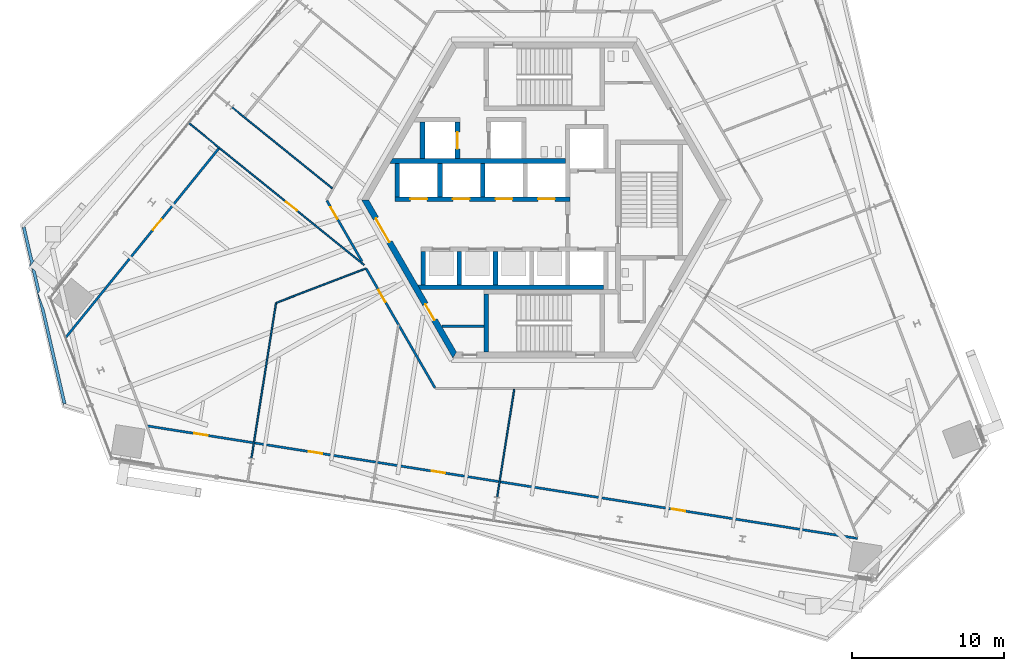
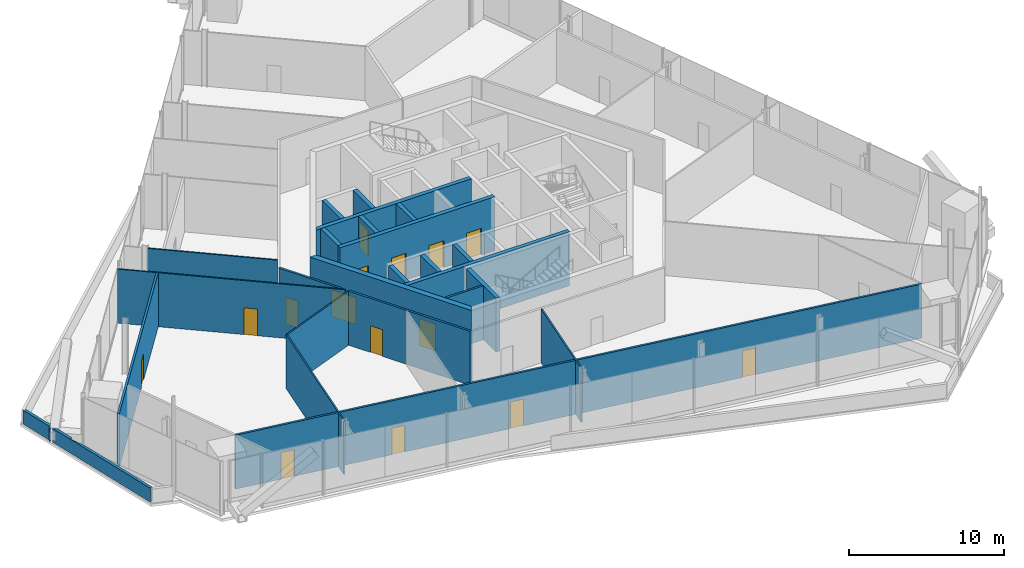
# One storey, part 13 of 22: 25 walls, 15 doors, 15 openings.
"""IFC4 building model written with IfcOpenShell, lengths in metres."""

from ifc_helpers import new_model, si_unit, direction, frame, frame_2d, origin, place, context, subcontext, project, spatial, polyline, rectangle, outline, extrude, source, transform, mapped, material, layer, layer_set, type_object, element, fill, save


model = new_model("IFC4")

# Units and contexts
model_context = context("Model", 3, precision=1e-05, world=origin(), true_north=direction((0.0, 1.0)))
body_context = subcontext(model_context, "Body", "Model", "MODEL_VIEW")
ifc_project = project(units=[si_unit("LENGTHUNIT", "METRE"), si_unit("AREAUNIT", "SQUARE_METRE"), si_unit("VOLUMEUNIT", "CUBIC_METRE"), si_unit("PLANEANGLEUNIT", "RADIAN"), si_unit("MASSUNIT", "GRAM", prefix="KILO")], contexts=[model_context])

# Site, building, storey
site_placement = place(None, origin())
site = spatial("IfcSite", under=ifc_project, at=site_placement, CompositionType="ELEMENT")
building_placement = place(site_placement, origin())
building = spatial("IfcBuilding", under=site, at=building_placement, Name="Triune Harvest Tower", CompositionType="ELEMENT")
storey_placement = place(building_placement, frame((0.0, 0.0, 138.10009765625)))
storey = spatial("IfcBuildingStorey", under=building, at=storey_placement, Name="L35", CompositionType="ELEMENT", Elevation=138.10009765625)

# Wall
ifc_material_1 = material(Name="Concrete masonry unit", Category="masonry")
ifc_layer_1 = layer(ifc_material_1, 0.14990234375)
ifc_layer_set_1 = layer_set([ifc_layer_1], Name="Concrete masonry unit")
wall_type_1 = type_object("IfcWallType", Name="Block partition 150", PredefinedType="PARTITIONING", material=ifc_layer_set_1)
wall_1_placement = place(storey_placement, frame((-6.72705078125, -8.300048828125, 0.0), z_axis=(0.0, 0.0, 1.0), x_axis=(1.0, 0.0, 0.0)))
element("IfcWall", 1, at=wall_1_placement, inside=storey, type_object=wall_type_1, Name="Sw part wall", PredefinedType="PARTITIONING", context=body_context, shape_type="SweptSolid", body=[
    extrude(rectangle(XDim=2.777099609375, YDim=0.14990234375, at=frame_2d((1.388671875, 0.0))), origin(), (0.0, 0.0, 1.0), 4.239990234375),
])

# Wall, openings, doors
ifc_material_2 = material(Name="Concrete 70 MPa", Category="concrete")
ifc_layer_2 = layer(ifc_material_2, 0.300048828125)
ifc_layer_set_2 = layer_set([ifc_layer_2], Name="Concrete 70 MPa")
wall_type_2 = type_object("IfcWallType", Name="Core wall 300", PredefinedType="SHEAR", material=ifc_layer_set_2)
wall_2_placement = place(storey_placement, frame((-9.800048828125, 0.06005859375, 0.0), z_axis=(0.0, 0.0, 1.0), x_axis=(1.0, 0.0, 0.0)))
wall_2 = element("IfcWall", 2, at=wall_2_placement, inside=storey, type_object=wall_type_2, Name="North front wall", PredefinedType="SHEAR", context=body_context, shape_type="SweptSolid", body=[
    extrude(rectangle(XDim=11.5, YDim=0.300048828125, at=frame_2d((5.75, 0.0))), origin(), (0.0, 0.0, 1.0), 4.239990234375),
])
opening_1_placement = place(wall_2_placement, frame((1.0, 0.0, 0.0)))
opening_1 = element("IfcOpeningElement", 3, at=opening_1_placement, cuts=wall_2, Name="Opening LD-LR1-35", PredefinedType="OPENING", context=body_context, shape_type="SweptSolid", body=[
    extrude(rectangle(XDim=1.10009765625, YDim=2.10009765625, at=frame_2d((0.550048828125, 1.050048828125))), frame((0.0, 0.16015625, 0.0), z_axis=(0.0, -1.0, 0.0), x_axis=(1.0, 0.0, 0.0)), (0.0, 0.0, 1.0), 0.320068359375),
])
opening_2_placement = place(wall_2_placement, frame((3.800048828125, 0.0, 0.0)))
opening_2 = element("IfcOpeningElement", 4, at=opening_2_placement, cuts=wall_2, Name="Opening LD-LR2-35", PredefinedType="OPENING", context=body_context, shape_type="SweptSolid", body=[
    extrude(rectangle(XDim=1.10009765625, YDim=2.10009765625, at=frame_2d((0.550048828125, 1.050048828125))), frame((0.0, 0.16015625, 0.0), z_axis=(0.0, -1.0, 0.0), x_axis=(1.0, 0.0, 0.0)), (0.0, 0.0, 1.0), 0.320068359375),
])
opening_3_placement = place(wall_2_placement, frame((6.60009765625, 0.0, 0.0)))
opening_3 = element("IfcOpeningElement", 5, at=opening_3_placement, cuts=wall_2, Name="Opening LD-LR3-35", PredefinedType="OPENING", context=body_context, shape_type="SweptSolid", body=[
    extrude(rectangle(XDim=1.10009765625, YDim=2.10009765625, at=frame_2d((0.550048828125, 1.050048828125))), frame((0.0, 0.16015625, 0.0), z_axis=(0.0, -1.0, 0.0), x_axis=(1.0, 0.0, 0.0)), (0.0, 0.0, 1.0), 0.320068359375),
])
opening_4_placement = place(wall_2_placement, frame((9.39990234375, 0.0, 0.0)))
opening_4 = element("IfcOpeningElement", 6, at=opening_4_placement, cuts=wall_2, Name="Opening LD-LR4-35", PredefinedType="OPENING", context=body_context, shape_type="SweptSolid", body=[
    extrude(rectangle(XDim=1.10009765625, YDim=2.10009765625, at=frame_2d((0.550048828125, 1.050048828125))), frame((0.0, 0.16015625, 0.0), z_axis=(0.0, -1.0, 0.0), x_axis=(1.0, 0.0, 0.0)), (0.0, 0.0, 1.0), 0.320068359375),
])
ifc_material_3 = material(Name="Stainless steel AISI 304", Category="steel")
door_type_1 = type_object("IfcDoorType", Name="Landing door 1100 x 2100", OperationType="DOUBLE_DOOR_SLIDING", PredefinedType="DOOR", material=ifc_material_3)
door_1_placement = place(opening_1_placement, origin())
door_1 = element("IfcDoor", 7, at=door_1_placement, inside=storey, type_object=door_type_1, Name="Door LD-LR1-35", OperationType="DOUBLE_DOOR_SLIDING", OverallHeight=2.10009765625, OverallWidth=1.10009765625, PredefinedType="DOOR", context=body_context, shape_type="SweptSolid", body=[
    extrude(rectangle(XDim=1.10009765625, YDim=2.10009765625, at=frame_2d((0.550048828125, 1.050048828125))), frame((0.0, 0.02490234375, 0.0), z_axis=(0.0, -1.0, 0.0), x_axis=(1.0, 0.0, 0.0)), (0.0, 0.0, 1.0), 0.050048828125),
])
fill(opening_1, door_1)
door_2_placement = place(opening_2_placement, origin())
door_2 = element("IfcDoor", 8, at=door_2_placement, inside=storey, type_object=door_type_1, Name="Door LD-LR2-35", OperationType="DOUBLE_DOOR_SLIDING", OverallHeight=2.10009765625, OverallWidth=1.10009765625, PredefinedType="DOOR", context=body_context, shape_type="SweptSolid", body=[
    extrude(rectangle(XDim=1.10009765625, YDim=2.10009765625, at=frame_2d((0.550048828125, 1.050048828125))), frame((0.0, 0.02490234375, 0.0), z_axis=(0.0, -1.0, 0.0), x_axis=(1.0, 0.0, 0.0)), (0.0, 0.0, 1.0), 0.050048828125),
])
fill(opening_2, door_2)
door_3_placement = place(opening_3_placement, origin())
door_3 = element("IfcDoor", 9, at=door_3_placement, inside=storey, type_object=door_type_1, Name="Door LD-LR3-35", OperationType="DOUBLE_DOOR_SLIDING", OverallHeight=2.10009765625, OverallWidth=1.10009765625, PredefinedType="DOOR", context=body_context, shape_type="SweptSolid", body=[
    extrude(rectangle(XDim=1.10009765625, YDim=2.10009765625, at=frame_2d((0.550048828125, 1.050048828125))), frame((0.0, 0.02490234375, 0.0), z_axis=(0.0, -1.0, 0.0), x_axis=(1.0, 0.0, 0.0)), (0.0, 0.0, 1.0), 0.050048828125),
])
fill(opening_3, door_3)
door_4_placement = place(opening_4_placement, origin())
door_4 = element("IfcDoor", 10, at=door_4_placement, inside=storey, type_object=door_type_1, Name="Door LD-LR4-35", OperationType="DOUBLE_DOOR_SLIDING", OverallHeight=2.10009765625, OverallWidth=1.10009765625, PredefinedType="DOOR", context=body_context, shape_type="SweptSolid", body=[
    extrude(rectangle(XDim=1.10009765625, YDim=2.10009765625, at=frame_2d((0.550048828125, 1.050048828125))), frame((0.0, 0.02490234375, 0.0), z_axis=(0.0, -1.0, 0.0), x_axis=(1.0, 0.0, 0.0)), (0.0, 0.0, 1.0), 0.050048828125),
])
fill(opening_4, door_4)

# Walls
wall_3_placement = place(storey_placement, frame((-9.800048828125, 2.56005859375, 0.0), z_axis=(0.0, 0.0, 1.0), x_axis=(1.0, 0.0, 0.0)))
element("IfcWall", 11, at=wall_3_placement, inside=storey, type_object=wall_type_2, Name="North back wall", PredefinedType="SHEAR", context=body_context, shape_type="SweptSolid", body=[
    extrude(outline(polyline([(11.199951171875, -0.14990234375), (-0.34912109375, -0.14990234375), (-0.17578125, 0.14990234375), (11.199951171875, 0.14990234375), (11.199951171875, -0.14990234375)])), origin(), (0.0, 0.0, 1.0), 4.239990234375),
])
wall_4_placement = place(storey_placement, frame((-8.10009765625, -5.739990234375, 0.0), z_axis=(0.0, 0.0, 1.0), x_axis=(1.0, 0.0, 0.0)))
element("IfcWall", 12, at=wall_4_placement, inside=storey, type_object=wall_type_2, Name="South back wall", PredefinedType="SHEAR", context=body_context, shape_type="SweptSolid", body=[
    extrude(outline(polyline([(12.0, -0.14990234375), (-0.039794921875, -0.14990234375), (-0.212890625, 0.14990234375), (12.0, 0.14990234375), (12.0, -0.14990234375)])), origin(), (0.0, 0.0, 1.0), 4.239990234375),
])

# Wall, opening, door
ifc_material_4 = material(Name="Gypsum board on steel studs", Category="steel")
ifc_layer_3 = layer(ifc_material_4, 0.14990234375)
ifc_layer_set_3 = layer_set([ifc_layer_3], Name="Gypsum board on steel studs")
wall_type_3 = type_object("IfcWallType", Name="Fire Partition 150 mm", PredefinedType="PARTITIONING", material=ifc_layer_set_3)
wall_5_placement = place(storey_placement, frame((-14.284423828125, -0.04345703125, 0.0), z_axis=(0.0, 0.0, 1.0), x_axis=(0.500006237819, -0.866021802348, 0.0)))
wall_5 = element("IfcWall", 13, at=wall_5_placement, inside=storey, type_object=wall_type_3, Name="Partition L35 005", PredefinedType="PARTITIONING", context=body_context, shape_type="SweptSolid", body=[
    extrude(rectangle(XDim=4.6171875, YDim=0.14990234375, at=frame_2d((2.30859375, 0.0))), origin(), (0.0, 0.0, 1.0), 4.239990234375),
])
opening_5_placement = place(wall_5_placement, frame((0.5, 0.0, 0.0)))
opening_5 = element("IfcOpeningElement", 14, at=opening_5_placement, cuts=wall_5, Name="Opening L35-019", PredefinedType="OPENING", context=body_context, shape_type="SweptSolid", body=[
    extrude(rectangle(XDim=0.89990234375, YDim=2.10009765625, at=frame_2d((0.449951171875, 1.050048828125))), frame((0.0, 0.0849609375, 0.0), z_axis=(0.0, -1.0, 0.0), x_axis=(1.0, 0.0, 0.0)), (0.0, 0.0, 1.0), 0.169921875),
])
ifc_material_5 = material(Name="Timber and steel door set", Category="steel")
door_type_2 = type_object("IfcDoorType", Name="Single leaf door FD30 right hand 900 x 2100", OperationType="SINGLE_SWING_RIGHT", PredefinedType="DOOR", material=ifc_material_5)
door_5_placement = place(opening_5_placement, origin())
door_5 = element("IfcDoor", 15, at=door_5_placement, inside=storey, type_object=door_type_2, Name="Door L35-019 Dry Store Room 35.19", OperationType="SINGLE_SWING_RIGHT", OverallHeight=2.10009765625, OverallWidth=0.89990234375, PredefinedType="DOOR", context=body_context, shape_type="SweptSolid", body=[
    extrude(rectangle(XDim=0.89990234375, YDim=2.10009765625, at=frame_2d((0.449951171875, 1.050048828125))), frame((0.0, 0.02490234375, 0.0), z_axis=(0.0, -1.0, 0.0), x_axis=(1.0, 0.0, 0.0)), (0.0, 0.0, 1.0), 0.050048828125),
])
fill(opening_5, door_5)

wall_6_placement = place(storey_placement, frame((-11.715087890625, -4.49365234375, 0.0), z_axis=(0.0, 0.0, 1.0), x_axis=(0.500003587897, -0.866023332301, 0.0)))
wall_6 = element("IfcWall", 16, at=wall_6_placement, inside=storey, type_object=wall_type_3, Name="Partition L35 006", PredefinedType="PARTITIONING", context=body_context, shape_type="SweptSolid", body=[
    extrude(rectangle(XDim=9.07080078125, YDim=0.14990234375, at=frame_2d((4.535400390625, 0.0))), origin(), (0.0, 0.0, 1.0), 4.239990234375),
])
opening_6_placement = place(wall_6_placement, frame((1.653076171875, 0.0, 0.0)))
opening_6 = element("IfcOpeningElement", 17, at=opening_6_placement, cuts=wall_6, Name="Opening L35-020", PredefinedType="OPENING", context=body_context, shape_type="SweptSolid", body=[
    extrude(rectangle(XDim=0.89990234375, YDim=2.10009765625, at=frame_2d((0.449951171875, 1.050048828125))), frame((0.0, 0.0849609375, 0.0), z_axis=(0.0, -1.0, 0.0), x_axis=(1.0, 0.0, 0.0)), (0.0, 0.0, 1.0), 0.169921875),
])
door_6_placement = place(opening_6_placement, origin())
door_6 = element("IfcDoor", 18, at=door_6_placement, inside=storey, type_object=door_type_2, Name="Door L35-020 Cafe 35.20", OperationType="SINGLE_SWING_RIGHT", OverallHeight=2.10009765625, OverallWidth=0.89990234375, PredefinedType="DOOR", context=body_context, shape_type="SweptSolid", body=[
    extrude(rectangle(XDim=0.89990234375, YDim=2.10009765625, at=frame_2d((0.449951171875, 1.050048828125))), frame((0.0, 0.02490234375, 0.0), z_axis=(0.0, -1.0, 0.0), x_axis=(1.0, 0.0, 0.0)), (0.0, 0.0, 1.0), 0.050048828125),
])
fill(opening_6, door_6)

# Wall, openings, doors
wall_7_placement = place(storey_placement, frame((-26.123291015625, -14.8466796875, 0.0), z_axis=(0.0, 0.0, 1.0), x_axis=(0.987687401431, -0.156440394577, 0.0)))
wall_7 = element("IfcWall", 19, at=wall_7_placement, inside=storey, type_object=wall_type_3, Name="Partition L35 021", PredefinedType="PARTITIONING", context=body_context, shape_type="SweptSolid", body=[
    extrude(rectangle(XDim=47.304931640625, YDim=0.14990234375, at=frame_2d((23.65234375, 0.0))), origin(), (0.0, 0.0, 1.0), 4.239990234375),
])
opening_7_placement = place(wall_7_placement, frame((3.14990234375, 0.0, 0.0)))
opening_7 = element("IfcOpeningElement", 20, at=opening_7_placement, cuts=wall_7, Name="Opening L35-018", PredefinedType="OPENING", context=body_context, shape_type="SweptSolid", body=[
    extrude(rectangle(XDim=0.89990234375, YDim=2.10009765625, at=frame_2d((0.449951171875, 1.050048828125))), frame((0.0, 0.0849609375, 0.0), z_axis=(0.0, -1.0, 0.0), x_axis=(1.0, 0.0, 0.0)), (0.0, 0.0, 1.0), 0.169921875),
])
opening_8_placement = place(wall_7_placement, frame((10.779296875, 0.0, 0.0)))
opening_8 = element("IfcOpeningElement", 21, at=opening_8_placement, cuts=wall_7, Name="Opening L35-021", PredefinedType="OPENING", context=body_context, shape_type="SweptSolid", body=[
    extrude(rectangle(XDim=0.89990234375, YDim=2.10009765625, at=frame_2d((0.449951171875, 1.050048828125))), frame((0.0, 0.0849609375, 0.0), z_axis=(0.0, -1.0, 0.0), x_axis=(1.0, 0.0, 0.0)), (0.0, 0.0, 1.0), 0.169921875),
])
opening_9_placement = place(wall_7_placement, frame((18.9541015625, 0.0, 0.0)))
opening_9 = element("IfcOpeningElement", 22, at=opening_9_placement, cuts=wall_7, Name="Opening L35-023", PredefinedType="OPENING", context=body_context, shape_type="SweptSolid", body=[
    extrude(rectangle(XDim=0.89990234375, YDim=2.10009765625, at=frame_2d((0.449951171875, 1.050048828125))), frame((0.0, 0.0849609375, 0.0), z_axis=(0.0, -1.0, 0.0), x_axis=(1.0, 0.0, 0.0)), (0.0, 0.0, 1.0), 0.169921875),
])
opening_10_placement = place(wall_7_placement, frame((34.92919921875, 0.0, 0.0)))
opening_10 = element("IfcOpeningElement", 23, at=opening_10_placement, cuts=wall_7, Name="Opening L35-025", PredefinedType="OPENING", context=body_context, shape_type="SweptSolid", body=[
    extrude(rectangle(XDim=0.89990234375, YDim=2.10009765625, at=frame_2d((0.449951171875, 1.050048828125))), frame((0.0, 0.0849609375, 0.0), z_axis=(0.0, -1.0, 0.0), x_axis=(1.0, 0.0, 0.0)), (0.0, 0.0, 1.0), 0.169921875),
])
ifc_material_6 = material(Name="Timber and steel door set", Category="steel")
door_type_3 = type_object("IfcDoorType", Name="Single leaf door FD30 left hand 900 x 2100", OperationType="SINGLE_SWING_LEFT", PredefinedType="DOOR", material=ifc_material_6)
door_7_placement = place(opening_10_placement, origin())
door_7 = element("IfcDoor", 24, at=door_7_placement, inside=storey, type_object=door_type_3, Name="Door L35-025 Dry Store Room 35.25", OperationType="SINGLE_SWING_LEFT", OverallHeight=2.10009765625, OverallWidth=0.89990234375, PredefinedType="DOOR", context=body_context, shape_type="SweptSolid", body=[
    extrude(rectangle(XDim=0.89990234375, YDim=2.10009765625, at=frame_2d((0.449951171875, 1.050048828125))), frame((0.0, 0.02490234375, 0.0), z_axis=(0.0, -1.0, 0.0), x_axis=(1.0, 0.0, 0.0)), (0.0, 0.0, 1.0), 0.050048828125),
])
fill(opening_10, door_7)
door_8_placement = place(opening_7_placement, origin())
door_8 = element("IfcDoor", 25, at=door_8_placement, inside=storey, type_object=door_type_2, Name="Door L35-018 Dry Store Room 35.18", OperationType="SINGLE_SWING_RIGHT", OverallHeight=2.10009765625, OverallWidth=0.89990234375, PredefinedType="DOOR", context=body_context, shape_type="SweptSolid", body=[
    extrude(rectangle(XDim=0.89990234375, YDim=2.10009765625, at=frame_2d((0.449951171875, 1.050048828125))), frame((0.0, 0.02490234375, 0.0), z_axis=(0.0, -1.0, 0.0), x_axis=(1.0, 0.0, 0.0)), (0.0, 0.0, 1.0), 0.050048828125),
])
fill(opening_7, door_8)
door_9_placement = place(opening_8_placement, origin())
door_9 = element("IfcDoor", 26, at=door_9_placement, inside=storey, type_object=door_type_2, Name="Door L35-021 Dry Store Room 35.21", OperationType="SINGLE_SWING_RIGHT", OverallHeight=2.10009765625, OverallWidth=0.89990234375, PredefinedType="DOOR", context=body_context, shape_type="SweptSolid", body=[
    extrude(rectangle(XDim=0.89990234375, YDim=2.10009765625, at=frame_2d((0.449951171875, 1.050048828125))), frame((0.0, 0.02490234375, 0.0), z_axis=(0.0, -1.0, 0.0), x_axis=(1.0, 0.0, 0.0)), (0.0, 0.0, 1.0), 0.050048828125),
])
fill(opening_8, door_9)
door_10_placement = place(opening_9_placement, origin())
door_10 = element("IfcDoor", 27, at=door_10_placement, inside=storey, type_object=door_type_2, Name="Door L35-023 Dry Store Room 35.23", OperationType="SINGLE_SWING_RIGHT", OverallHeight=2.10009765625, OverallWidth=0.89990234375, PredefinedType="DOOR", context=body_context, shape_type="SweptSolid", body=[
    extrude(rectangle(XDim=0.89990234375, YDim=2.10009765625, at=frame_2d((0.449951171875, 1.050048828125))), frame((0.0, 0.02490234375, 0.0), z_axis=(0.0, -1.0, 0.0), x_axis=(1.0, 0.0, 0.0)), (0.0, 0.0, 1.0), 0.050048828125),
])
fill(opening_9, door_10)

# Wall, opening, door
wall_8_placement = place(storey_placement, frame((-31.455322265625, -9.048828125, 0.0), z_axis=(0.0, 0.0, 1.0), x_axis=(0.629318973636, 0.777147109254, 0.0)))
wall_8 = element("IfcWall", 28, at=wall_8_placement, inside=storey, type_object=wall_type_3, Name="Partition L35 036", PredefinedType="PARTITIONING", context=body_context, shape_type="SweptSolid", body=[
    extrude(rectangle(XDim=16.052734375, YDim=0.14990234375, at=frame_2d((8.0263671875, 0.0))), origin(), (0.0, 0.0, 1.0), 4.239990234375),
])
opening_11_placement = place(wall_8_placement, frame((9.102783203125, 0.0, 0.0)))
opening_11 = element("IfcOpeningElement", 29, at=opening_11_placement, cuts=wall_8, Name="Opening L35-017", PredefinedType="OPENING", context=body_context, shape_type="SweptSolid", body=[
    extrude(rectangle(XDim=0.89990234375, YDim=2.10009765625, at=frame_2d((0.449951171875, 1.050048828125))), frame((0.0, 0.0849609375, 0.0), z_axis=(0.0, -1.0, 0.0), x_axis=(1.0, 0.0, 0.0)), (0.0, 0.0, 1.0), 0.169921875),
])
door_11_placement = place(opening_11_placement, origin())
door_11 = element("IfcDoor", 30, at=door_11_placement, inside=storey, type_object=door_type_2, Name="Door L35-017 Dry Store Room 35.17", OperationType="SINGLE_SWING_RIGHT", OverallHeight=2.10009765625, OverallWidth=0.89990234375, PredefinedType="DOOR", context=body_context, shape_type="SweptSolid", body=[
    extrude(rectangle(XDim=0.89990234375, YDim=2.10009765625, at=frame_2d((0.449951171875, 1.050048828125))), frame((0.0, 0.02490234375, 0.0), z_axis=(0.0, -1.0, 0.0), x_axis=(1.0, 0.0, 0.0)), (0.0, 0.0, 1.0), 0.050048828125),
])
fill(opening_11, door_11)

# Walls
ifc_material_7 = material(Name="Concrete 40 MPa", Category="concrete")
ifc_layer_4 = layer(ifc_material_7, 0.199951171875)
ifc_layer_set_4 = layer_set([ifc_layer_4], Name="Concrete 40 MPa")
wall_type_4 = type_object("IfcWallType", Name="PA-1 parapet 200", PredefinedType="PARAPET", material=ifc_layer_set_4)
wall_9_placement = place(storey_placement, origin())
element("IfcWall", 31, at=wall_9_placement, inside=storey, type_object=wall_type_4, Name="Parapet wedge L34 3.3", PredefinedType="PARAPET", context=body_context, shape_type="SweptSolid", body=[
    extrude(outline(polyline([(-34.118408203125, -1.728759765625), (-33.60009765625, -3.97412109375), (-33.578857421875, -3.947998046875), (-33.516357421875, -3.99853515625), (-33.816650390625, -4.369384765625), (-33.839599609375, -4.27001953125), (-33.759765625, -4.17138671875), (-34.318359375, -1.751220703125), (-34.236572265625, -1.839111328125), (-34.118408203125, -1.728759765625)])), origin(), (0.0, 0.0, 1.0), 1.099853515625),
])
wall_10_placement = place(storey_placement, origin())
element("IfcWall", 32, at=wall_10_placement, inside=storey, type_object=wall_type_4, Name="Parapet wedge L34 3.4", PredefinedType="PARAPET", context=body_context, shape_type="SweptSolid", body=[
    extrude(outline(polyline([(-31.61279296875, -13.47021484375), (-33.6923828125, -4.46240234375), (-33.440185546875, -4.666748046875), (-33.140380859375, -5.96533203125), (-33.272705078125, -6.12890625), (-32.845947265625, -7.239990234375), (-31.423095703125, -13.402587890625), (-31.577880859375, -13.35546875), (-31.61279296875, -13.47021484375)])), origin(), (0.0, 0.0, 1.0), 1.099853515625),
])

# Wall, opening, door
ifc_material_8 = material(Name="Gypsum board on steel studs", Category="steel")
ifc_layer_5 = layer(ifc_material_8, 0.10009765625)
ifc_layer_set_5 = layer_set([ifc_layer_5], Name="Gypsum board on steel studs")
wall_type_5 = type_object("IfcWallType", Name="Partition 100 mm", PredefinedType="PARTITIONING", material=ifc_layer_set_5)
wall_11_placement = place(storey_placement, frame((-23.37353515625, 5.0625, 0.0), z_axis=(0.0, 0.0, 1.0), x_axis=(0.777152536961, -0.629312270891, 0.0)))
wall_11 = element("IfcWall", 33, at=wall_11_placement, inside=storey, type_object=wall_type_5, Name="Partition L35 009", PredefinedType="PARTITIONING", context=body_context, shape_type="SweptSolid", body=[
    extrude(rectangle(XDim=14.841064453125, YDim=0.10009765625, at=frame_2d((7.42041015625, 0.0))), origin(), (0.0, 0.0, 1.0), 4.239990234375),
])
opening_12_placement = place(wall_11_placement, frame((8.25, 0.0, 0.0)))
opening_12 = element("IfcOpeningElement", 34, at=opening_12_placement, cuts=wall_11, Name="Opening L35-015", PredefinedType="OPENING", context=body_context, shape_type="SweptSolid", body=[
    extrude(rectangle(XDim=0.89990234375, YDim=2.10009765625, at=frame_2d((0.449951171875, 1.050048828125))), frame((0.0, 0.06005859375, 0.0), z_axis=(0.0, -1.0, 0.0), x_axis=(1.0, 0.0, 0.0)), (0.0, 0.0, 1.0), 0.1201171875),
])
ifc_material_9 = material(Name="Timber and steel door set", Category="steel")
door_type_4 = type_object("IfcDoorType", Name="Single leaf door left hand 900 x 2100", OperationType="SINGLE_SWING_LEFT", PredefinedType="DOOR", material=ifc_material_9)
door_12_placement = place(opening_12_placement, origin())
door_12 = element("IfcDoor", 35, at=door_12_placement, inside=storey, type_object=door_type_4, Name="Door L35-015 Market Hall 35.15", OperationType="SINGLE_SWING_LEFT", OverallHeight=2.10009765625, OverallWidth=0.89990234375, PredefinedType="DOOR", context=body_context, shape_type="SweptSolid", body=[
    extrude(rectangle(XDim=0.89990234375, YDim=2.10009765625, at=frame_2d((0.449951171875, 1.050048828125))), frame((0.0, 0.02490234375, 0.0), z_axis=(0.0, -1.0, 0.0), x_axis=(1.0, 0.0, 0.0)), (0.0, 0.0, 1.0), 0.050048828125),
])
fill(opening_12, door_12)

# Walls
wall_12_placement = place(storey_placement, frame((-20.520751953125, 6.097900390625, 0.0), z_axis=(0.0, 0.0, 1.0), x_axis=(0.777152936072, -0.62931177802, 0.0)))
element("IfcWall", 36, at=wall_12_placement, inside=storey, type_object=wall_type_5, Name="Partition L35 011", PredefinedType="PARTITIONING", context=body_context, shape_type="SweptSolid", body=[
    extrude(rectangle(XDim=8.47314453125, YDim=0.10009765625, at=frame_2d((4.236572265625, 0.0))), origin(), (0.0, 0.0, 1.0), 4.239990234375),
])
wall_13_placement = place(storey_placement, frame((-17.606689453125, -6.7587890625, 0.0), z_axis=(0.0, 0.0, 1.0), x_axis=(0.933577503778, 0.358375563397, 0.0)))
element("IfcWall", 37, at=wall_13_placement, inside=storey, type_object=wall_type_5, Name="Partition L35 027", PredefinedType="PARTITIONING", context=body_context, shape_type="SweptSolid", body=[
    extrude(rectangle(XDim=6.2626953125, YDim=0.10009765625, at=frame_2d((3.13134765625, 0.0))), origin(), (0.0, 0.0, 1.0), 4.239990234375),
])
wall_14_placement = place(storey_placement, frame((-3.09521484375, -19.54150390625, 0.0), z_axis=(0.0, 0.0, 1.0), x_axis=(0.156418401469, 0.987690884681, 0.0)))
element("IfcWall", 38, at=wall_14_placement, inside=storey, type_object=wall_type_5, Name="Partition L35 041", PredefinedType="PARTITIONING", context=body_context, shape_type="SweptSolid", body=[
    extrude(rectangle(XDim=7.17822265625, YDim=0.10009765625, at=frame_2d((3.589111328125, 0.0))), origin(), (0.0, 0.0, 1.0), 4.239990234375),
])

# Wall, openings, doors
ifc_material_10 = material(Name="Concrete 70 MPa", Category="concrete")
ifc_layer_6 = layer(ifc_material_10, 0.39990234375)
ifc_layer_set_6 = layer_set([ifc_layer_6], Name="Concrete 70 MPa")
wall_type_6 = type_object("IfcWallType", Name="Core wall 400", PredefinedType="SHEAR", material=ifc_layer_set_6)
shared_shape_1 = source(origin(), body_context, "Body", "SweptSolid", [
    extrude(outline(polyline([(-0.115478515625, -0.199951171875), (11.884521484375, -0.199951171875), (11.653564453125, 0.199951171875), (0.115478515625, 0.199951171875), (-0.115478515625, -0.199951171875)])), origin(), (0.0, 0.0, 1.0), 4.239990234375),
])
wall_15_placement = place(storey_placement, frame((-11.76904296875, 0.0, 0.0), z_axis=(0.0, 0.0, 1.0), x_axis=(0.499996592174, -0.866027371285, 0.0)))
wall_15 = element("IfcWall", 39, at=wall_15_placement, inside=storey, type_object=wall_type_6, Name="Hexagon 3 wall", PredefinedType="SHEAR", context=body_context, shape_type="MappedRepresentation", body=[
    mapped(shared_shape_1, transform((0.0, 0.0, 0.0), scale=1.0)),
])
opening_13_placement = place(wall_15_placement, frame((1.404541015625, 0.0, 0.0)))
opening_13 = element("IfcOpeningElement", 40, at=opening_13_placement, cuts=wall_15, Name="Opening CD-LS", PredefinedType="OPENING", context=body_context, shape_type="SweptSolid", body=[
    extrude(rectangle(XDim=1.800048828125, YDim=2.10009765625, at=frame_2d((0.89990234375, 1.050048828125))), frame((0.0, 0.2099609375, 0.0), z_axis=(0.0, -1.0, 0.0), x_axis=(1.0, 0.0, 0.0)), (0.0, 0.0, 1.0), 0.419921875),
])
opening_14_placement = place(wall_15_placement, frame((7.91455078125, 0.0, 0.0)))
opening_14 = element("IfcOpeningElement", 41, at=opening_14_placement, cuts=wall_15, Name="Opening CD-SWP", PredefinedType="OPENING", context=body_context, shape_type="SweptSolid", body=[
    extrude(rectangle(XDim=1.199951171875, YDim=2.10009765625, at=frame_2d((0.60009765625, 1.050048828125))), frame((0.0, 0.2099609375, 0.0), z_axis=(0.0, -1.0, 0.0), x_axis=(1.0, 0.0, 0.0)), (0.0, 0.0, 1.0), 0.419921875),
])
ifc_material_11 = material(Name="Steel S235", Category="steel")
door_type_5 = type_object("IfcDoorType", Name="Lobby door 1800 FD120", OperationType="DOUBLE_DOOR_DOUBLE_SWING", PredefinedType="DOOR", material=ifc_material_11)
door_13_placement = place(opening_13_placement, frame((1.800048828125, 0.0, 0.0), z_axis=(0.0, 0.0, 1.0), x_axis=(-1.0, 0.0, 0.0)))
door_13 = element("IfcDoor", 42, at=door_13_placement, inside=storey, type_object=door_type_5, Name="Door CD-LS", OperationType="DOUBLE_DOOR_DOUBLE_SWING", OverallHeight=2.10009765625, OverallWidth=1.800048828125, PredefinedType="DOOR", context=body_context, shape_type="SweptSolid", body=[
    extrude(rectangle(XDim=1.800048828125, YDim=2.10009765625, at=frame_2d((0.89990234375, 1.050048828125))), frame((0.0, 0.02490234375, 0.0), z_axis=(0.0, -1.0, 0.0), x_axis=(1.0, 0.0, 0.0)), (0.0, 0.0, 1.0), 0.050048828125),
])
fill(opening_13, door_13)
ifc_material_12 = material(Name="Steel S235", Category="steel")
door_type_6 = type_object("IfcDoorType", Name="Service door 1200 FD120", OperationType="SINGLE_SWING_LEFT", PredefinedType="DOOR", material=ifc_material_12)
door_14_placement = place(opening_14_placement, frame((1.199951171875, 0.0, 0.0), z_axis=(0.0, 0.0, 1.0), x_axis=(-1.0, 0.0, 0.0)))
door_14 = element("IfcDoor", 43, at=door_14_placement, inside=storey, type_object=door_type_6, Name="Door CD-SWP", OperationType="SINGLE_SWING_RIGHT", OverallHeight=2.10009765625, OverallWidth=1.199951171875, PredefinedType="DOOR", context=body_context, shape_type="SweptSolid", body=[
    extrude(rectangle(XDim=1.199951171875, YDim=2.10009765625, at=frame_2d((0.60009765625, 1.050048828125))), frame((0.0, 0.02490234375, 0.0), z_axis=(0.0, -1.0, 0.0), x_axis=(1.0, 0.0, 0.0)), (0.0, 0.0, 1.0), 0.050048828125),
])
fill(opening_14, door_14)

# Walls
shared_shape_2 = source(origin(), body_context, "Body", "SweptSolid", [
    extrude(rectangle(XDim=2.2001953125, YDim=0.300048828125, at=frame_2d((1.10009765625, 0.0))), origin(), (0.0, 0.0, 1.0), 4.239990234375),
])
for number, where, z_axis, x_axis, name in (
    (44, (-7.949951171875, -5.590087890625, 0.0), (0.0, 0.0, 1.0), (0.0, 1.0, 0.0), "South end west wall"),
    (45, (-5.574951171875, -5.590087890625, 0.0), (0.0, 0.0, 1.0), (0.0, 1.0, 0.0), "South cross 1 wall"),
    (46, (-3.199951171875, -5.590087890625, 0.0), (0.0, 0.0, 1.0), (0.0, 1.0, 0.0), "South cross 2 wall"),
):
    element("IfcWall", number, at=place(storey_placement, frame(where, z_axis=z_axis, x_axis=x_axis)), inside=storey, type_object=wall_type_2, Name=name, PredefinedType="SHEAR", context=body_context, shape_type="MappedRepresentation", body=[
        mapped(shared_shape_2, transform((0.0, 0.0, 0.0), scale=1.0)),
    ])
shared_shape_3 = source(origin(), body_context, "Body", "SweptSolid", [
    extrude(rectangle(XDim=2.199951171875, YDim=0.300048828125, at=frame_2d((1.10009765625, 0.0))), origin(), (0.0, 0.0, 1.0), 4.239990234375),
])
for number, where, z_axis, x_axis, name in (
    (47, (-9.64990234375, 0.2099609375, 0.0), (0.0, 0.0, 1.0), (0.0, 1.0, 0.0), "North end west wall"),
    (48, (-6.85009765625, 0.2099609375, 0.0), (0.0, 0.0, 1.0), (0.0, 1.0, 0.0), "North cross 1 wall"),
    (49, (-4.050048828125, 0.2099609375, 0.0), (0.0, 0.0, 1.0), (0.0, 1.0, 0.0), "North cross 2 wall"),
):
    element("IfcWall", number, at=place(storey_placement, frame(where, z_axis=z_axis, x_axis=x_axis)), inside=storey, type_object=wall_type_2, Name=name, PredefinedType="SHEAR", context=body_context, shape_type="MappedRepresentation", body=[
        mapped(shared_shape_3, transform((0.0, 0.0, 0.0), scale=1.0)),
    ])
shared_shape_4 = source(origin(), body_context, "Body", "SweptSolid", [
    extrude(outline(polyline([(3.800048828125, -0.14990234375), (-0.00439453125, -0.14990234375), (-0.00439453125, 0.14990234375), (3.800048828125, 0.14990234375), (3.800048828125, -0.14990234375)])), origin(), (0.0, 0.0, 1.0), 4.239990234375),
])
wall_16_placement = place(storey_placement, frame((-3.800048828125, -9.989990234375, 0.0), z_axis=(0.0, 0.0, 1.0), x_axis=(0.0, 1.0, 0.0)))
element("IfcWall", 50, at=wall_16_placement, inside=storey, type_object=wall_type_2, Name="Stair s west wall", PredefinedType="SHEAR", context=body_context, shape_type="MappedRepresentation", body=[
    mapped(shared_shape_4, transform((0.0, 0.0, 0.0), scale=1.0)),
])
shared_shape_5 = source(origin(), body_context, "Body", "SweptSolid", [
    extrude(rectangle(XDim=2.400146484375, YDim=0.300048828125, at=frame_2d((1.2001953125, 0.0))), origin(), (0.0, 0.0, 1.0), 4.239990234375),
])
wall_17_placement = place(storey_placement, frame((-8.0, 2.7099609375, 0.0), z_axis=(0.0, 0.0, 1.0), x_axis=(0.0, 1.0, 0.0)))
element("IfcWall", 51, at=wall_17_placement, inside=storey, type_object=wall_type_2, Name="Sv1 west wall", PredefinedType="SHEAR", context=body_context, shape_type="MappedRepresentation", body=[
    mapped(shared_shape_5, transform((0.0, 0.0, 0.0), scale=1.0)),
])

# Wall, opening, door
wall_18_placement = place(storey_placement, frame((-5.699951171875, 2.7099609375, 0.0), z_axis=(0.0, 0.0, 1.0), x_axis=(0.0, 1.0, 0.0)))
wall_18 = element("IfcWall", 52, at=wall_18_placement, inside=storey, type_object=wall_type_2, Name="Sv1 east wall", PredefinedType="SHEAR", context=body_context, shape_type="MappedRepresentation", body=[
    mapped(shared_shape_5, transform((0.0, 0.0, 0.0), scale=1.0)),
])
opening_15_placement = place(wall_18_placement, frame((0.64990234375, 0.0, 0.0)))
opening_15 = element("IfcOpeningElement", 53, at=opening_15_placement, cuts=wall_18, Name="Opening LD-SV1-35", PredefinedType="OPENING", context=body_context, shape_type="SweptSolid", body=[
    extrude(rectangle(XDim=1.10009765625, YDim=2.10009765625, at=frame_2d((0.550048828125, 1.050048828125))), frame((0.0, 0.16015625, 0.0), z_axis=(0.0, -1.0, 0.0), x_axis=(1.0, 0.0, 0.0)), (0.0, 0.0, 1.0), 0.320068359375),
])
door_15_placement = place(opening_15_placement, origin())
door_15 = element("IfcDoor", 54, at=door_15_placement, inside=storey, type_object=door_type_1, Name="Door LD-SV1-35", OperationType="DOUBLE_DOOR_SLIDING", OverallHeight=2.10009765625, OverallWidth=1.10009765625, PredefinedType="DOOR", context=body_context, shape_type="SweptSolid", body=[
    extrude(rectangle(XDim=1.10009765625, YDim=2.10009765625, at=frame_2d((0.550048828125, 1.050048828125))), frame((0.0, 0.02490234375, 0.0), z_axis=(0.0, -1.0, 0.0), x_axis=(1.0, 0.0, 0.0)), (0.0, 0.0, 1.0), 0.050048828125),
])
fill(opening_15, door_15)

# Wall
shared_shape_6 = source(origin(), body_context, "Body", "SweptSolid", [
    extrude(rectangle(XDim=10.345458984375, YDim=0.10009765625, at=frame_2d((5.1728515625, 0.0))), origin(), (0.0, 0.0, 1.0), 4.239990234375),
])
wall_19_placement = place(storey_placement, frame((-19.243896484375, -16.98388671875, 0.0), z_axis=(0.0, 0.0, 1.0), x_axis=(0.156437596398, 0.987687844632, 0.0)))
element("IfcWall", 55, at=wall_19_placement, inside=storey, type_object=wall_type_5, Name="Partition L35 046", PredefinedType="PARTITIONING", context=body_context, shape_type="MappedRepresentation", body=[
    mapped(shared_shape_6, transform((0.0, 0.0, 0.0), scale=1.0)),
])

save(model, "model.ifc")
